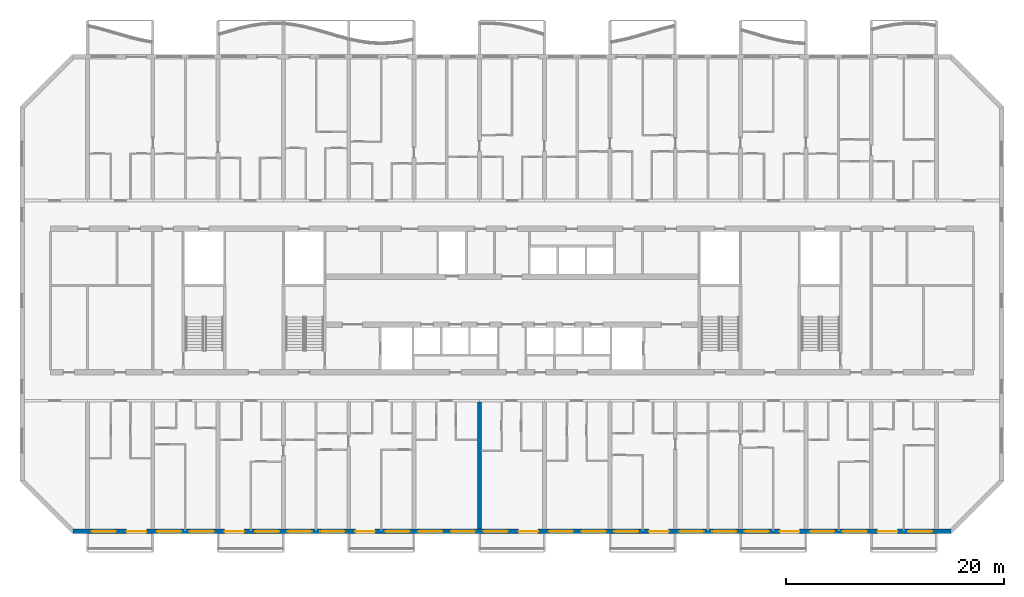
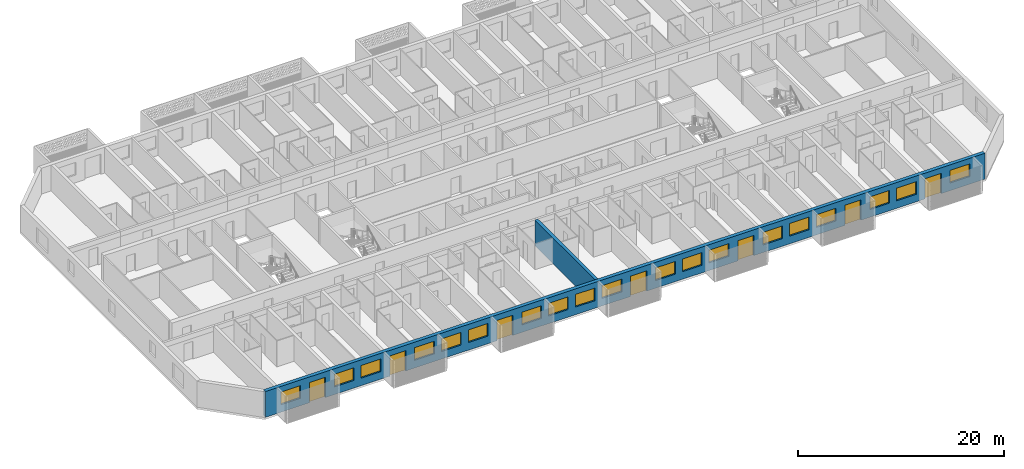
# One storey, part 4 of 31: 19 windows, 7 doors, 2 walls, 26 openings.
"""IFC4 building model written with IfcOpenShell, lengths in metres."""

from ifc_helpers import new_model, si_unit, direction, frame, frame_2d, origin, place, context, subcontext, project, spatial, rectangle, extrude, material, layer, layer_set, type_object, element, fill, save


model = new_model("IFC4")

# Units and contexts
model_context = context("Model", 3, precision=1e-05, world=origin(), true_north=direction((0.0, 1.0)))
body_context = subcontext(model_context, "Body", "Model", "MODEL_VIEW")
ifc_project = project(units=[si_unit("LENGTHUNIT", "METRE"), si_unit("AREAUNIT", "SQUARE_METRE"), si_unit("VOLUMEUNIT", "CUBIC_METRE"), si_unit("PLANEANGLEUNIT", "RADIAN"), si_unit("MASSUNIT", "GRAM", prefix="KILO")], contexts=[model_context])

# Site, building, storey
site_placement = place(None, origin())
site = spatial("IfcSite", under=ifc_project, at=site_placement, CompositionType="ELEMENT")
building_placement = place(site_placement, origin())
building = spatial("IfcBuilding", under=site, at=building_placement, Name="Poui Terraces", CompositionType="ELEMENT")
storey_placement = place(building_placement, frame((0.0, 0.0, 82.800048828125)))
storey = spatial("IfcBuildingStorey", under=building, at=storey_placement, Name="L22", CompositionType="ELEMENT", Elevation=82.800048828125)

# Wall
ifc_material_1 = material(Name="Concrete 65 MPa", Category="concrete")
ifc_layer_1 = layer(ifc_material_1, 0.35009765625)
ifc_layer_set_1 = layer_set([ifc_layer_1], Name="Concrete 65 MPa")
wall_type_1 = type_object("IfcWallType", Name="CROSS WALL 350 65MPa", PredefinedType="SHEAR", material=ifc_layer_set_1)
wall_1_placement = place(storey_placement, frame((48.0, 0.199951171875, 0.0), z_axis=(0.0, 0.0, 1.0), x_axis=(0.0, 1.0, 0.0)))
element("IfcWall", 1, at=wall_1_placement, inside=storey, type_object=wall_type_1, Name="CROSS WALL LINE 9 SOUTH", PredefinedType="SHEAR", context=body_context, shape_type="SweptSolid", body=[
    extrude(rectangle(XDim=11.675048828125, YDim=0.35009765625, at=frame_2d((5.83740234375, 0.0))), origin(), (0.0, 0.0, 1.0), 3.06005859375),
])

# Wall, openings, doors, windows
ifc_material_2 = material(Name="Precast concrete 40 MPa", Category="concrete")
ifc_layer_2 = layer(ifc_material_2, 0.39990234375)
ifc_layer_set_2 = layer_set([ifc_layer_2], Name="Precast concrete 40 MPa")
wall_type_2 = type_object("IfcWallType", Name="EXTERNAL WALL 400", PredefinedType="STANDARD", material=ifc_layer_set_2)
wall_2_placement = place(storey_placement, frame((10.682861328125, 0.0, 0.0), z_axis=(0.0, 0.0, 1.0), x_axis=(1.0, 0.0, 0.0)))
wall_2 = element("IfcWall", 2, at=wall_2_placement, inside=storey, type_object=wall_type_2, Name="EXTERNAL WALL S", PredefinedType="STANDARD", context=body_context, shape_type="SweptSolid", body=[
    extrude(rectangle(XDim=80.63427734375, YDim=0.39990234375, at=frame_2d((40.317138671875, 0.0))), origin(), (0.0, 0.0, 1.0), 3.06005859375),
])
opening_1_placement = place(wall_2_placement, frame((1.71728515625, 0.0, 0.89990234375)))
opening_1 = element("IfcOpeningElement", 3, at=opening_1_placement, cuts=wall_2, Name="Opening W1", PredefinedType="OPENING", context=body_context, shape_type="SweptSolid", body=[
    extrude(rectangle(XDim=2.199951171875, YDim=1.5, at=frame_2d((1.10009765625, 0.75))), frame((0.0, 0.2099609375, 0.0), z_axis=(0.0, -1.0, 0.0), x_axis=(1.0, 0.0, 0.0)), (0.0, 0.0, 1.0), 0.419921875),
])
opening_2_placement = place(wall_2_placement, frame((4.917236328125, 0.0, 0.0)))
opening_2 = element("IfcOpeningElement", 4, at=opening_2_placement, cuts=wall_2, Name="Opening BD1", PredefinedType="OPENING", context=body_context, shape_type="SweptSolid", body=[
    extrude(rectangle(XDim=1.800048828125, YDim=2.39990234375, at=frame_2d((0.89990234375, 1.199951171875))), frame((0.0, 0.2099609375, 0.0), z_axis=(0.0, -1.0, 0.0), x_axis=(1.0, 0.0, 0.0)), (0.0, 0.0, 1.0), 0.419921875),
])
opening_3_placement = place(wall_2_placement, frame((7.71728515625, 0.0, 0.89990234375)))
opening_3 = element("IfcOpeningElement", 5, at=opening_3_placement, cuts=wall_2, Name="Opening W1", PredefinedType="OPENING", context=body_context, shape_type="SweptSolid", body=[
    extrude(rectangle(XDim=2.199951171875, YDim=1.5, at=frame_2d((1.10009765625, 0.75))), frame((0.0, 0.2099609375, 0.0), z_axis=(0.0, -1.0, 0.0), x_axis=(1.0, 0.0, 0.0)), (0.0, 0.0, 1.0), 0.419921875),
])
opening_4_placement = place(wall_2_placement, frame((10.71728515625, 0.0, 0.89990234375)))
opening_4 = element("IfcOpeningElement", 6, at=opening_4_placement, cuts=wall_2, Name="Opening W1", PredefinedType="OPENING", context=body_context, shape_type="SweptSolid", body=[
    extrude(rectangle(XDim=2.199951171875, YDim=1.5, at=frame_2d((1.10009765625, 0.75))), frame((0.0, 0.2099609375, 0.0), z_axis=(0.0, -1.0, 0.0), x_axis=(1.0, 0.0, 0.0)), (0.0, 0.0, 1.0), 0.419921875),
])
opening_5_placement = place(wall_2_placement, frame((13.917236328125, 0.0, 0.0)))
opening_5 = element("IfcOpeningElement", 7, at=opening_5_placement, cuts=wall_2, Name="Opening BD1", PredefinedType="OPENING", context=body_context, shape_type="SweptSolid", body=[
    extrude(rectangle(XDim=1.800048828125, YDim=2.39990234375, at=frame_2d((0.89990234375, 1.199951171875))), frame((0.0, 0.2099609375, 0.0), z_axis=(0.0, -1.0, 0.0), x_axis=(1.0, 0.0, 0.0)), (0.0, 0.0, 1.0), 0.419921875),
])
opening_6_placement = place(wall_2_placement, frame((16.71728515625, 0.0, 0.89990234375)))
opening_6 = element("IfcOpeningElement", 8, at=opening_6_placement, cuts=wall_2, Name="Opening W1", PredefinedType="OPENING", context=body_context, shape_type="SweptSolid", body=[
    extrude(rectangle(XDim=2.199951171875, YDim=1.5, at=frame_2d((1.10009765625, 0.75))), frame((0.0, 0.2099609375, 0.0), z_axis=(0.0, -1.0, 0.0), x_axis=(1.0, 0.0, 0.0)), (0.0, 0.0, 1.0), 0.419921875),
])
opening_7_placement = place(wall_2_placement, frame((19.71728515625, 0.0, 0.89990234375)))
opening_7 = element("IfcOpeningElement", 9, at=opening_7_placement, cuts=wall_2, Name="Opening W1", PredefinedType="OPENING", context=body_context, shape_type="SweptSolid", body=[
    extrude(rectangle(XDim=2.199951171875, YDim=1.5, at=frame_2d((1.10009765625, 0.75))), frame((0.0, 0.2099609375, 0.0), z_axis=(0.0, -1.0, 0.0), x_axis=(1.0, 0.0, 0.0)), (0.0, 0.0, 1.0), 0.419921875),
])
opening_8_placement = place(wall_2_placement, frame((22.71728515625, 0.0, 0.89990234375)))
opening_8 = element("IfcOpeningElement", 10, at=opening_8_placement, cuts=wall_2, Name="Opening W1", PredefinedType="OPENING", context=body_context, shape_type="SweptSolid", body=[
    extrude(rectangle(XDim=2.199951171875, YDim=1.5, at=frame_2d((1.10009765625, 0.75))), frame((0.0, 0.2099609375, 0.0), z_axis=(0.0, -1.0, 0.0), x_axis=(1.0, 0.0, 0.0)), (0.0, 0.0, 1.0), 0.419921875),
])
opening_9_placement = place(wall_2_placement, frame((25.917236328125, 0.0, 0.0)))
opening_9 = element("IfcOpeningElement", 11, at=opening_9_placement, cuts=wall_2, Name="Opening BD1", PredefinedType="OPENING", context=body_context, shape_type="SweptSolid", body=[
    extrude(rectangle(XDim=1.800048828125, YDim=2.39990234375, at=frame_2d((0.89990234375, 1.199951171875))), frame((0.0, 0.2099609375, 0.0), z_axis=(0.0, -1.0, 0.0), x_axis=(1.0, 0.0, 0.0)), (0.0, 0.0, 1.0), 0.419921875),
])
opening_10_placement = place(wall_2_placement, frame((28.71728515625, 0.0, 0.89990234375)))
opening_10 = element("IfcOpeningElement", 12, at=opening_10_placement, cuts=wall_2, Name="Opening W1", PredefinedType="OPENING", context=body_context, shape_type="SweptSolid", body=[
    extrude(rectangle(XDim=2.199951171875, YDim=1.5, at=frame_2d((1.10009765625, 0.75))), frame((0.0, 0.2099609375, 0.0), z_axis=(0.0, -1.0, 0.0), x_axis=(1.0, 0.0, 0.0)), (0.0, 0.0, 1.0), 0.419921875),
])
opening_11_placement = place(wall_2_placement, frame((31.71728515625, 0.0, 0.89990234375)))
opening_11 = element("IfcOpeningElement", 13, at=opening_11_placement, cuts=wall_2, Name="Opening W1", PredefinedType="OPENING", context=body_context, shape_type="SweptSolid", body=[
    extrude(rectangle(XDim=2.199951171875, YDim=1.5, at=frame_2d((1.10009765625, 0.75))), frame((0.0, 0.2099609375, 0.0), z_axis=(0.0, -1.0, 0.0), x_axis=(1.0, 0.0, 0.0)), (0.0, 0.0, 1.0), 0.419921875),
])
opening_12_placement = place(wall_2_placement, frame((34.71728515625, 0.0, 0.89990234375)))
opening_12 = element("IfcOpeningElement", 14, at=opening_12_placement, cuts=wall_2, Name="Opening W1", PredefinedType="OPENING", context=body_context, shape_type="SweptSolid", body=[
    extrude(rectangle(XDim=2.199951171875, YDim=1.5, at=frame_2d((1.10009765625, 0.75))), frame((0.0, 0.2099609375, 0.0), z_axis=(0.0, -1.0, 0.0), x_axis=(1.0, 0.0, 0.0)), (0.0, 0.0, 1.0), 0.419921875),
])
opening_13_placement = place(wall_2_placement, frame((37.71728515625, 0.0, 0.89990234375)))
opening_13 = element("IfcOpeningElement", 15, at=opening_13_placement, cuts=wall_2, Name="Opening W1", PredefinedType="OPENING", context=body_context, shape_type="SweptSolid", body=[
    extrude(rectangle(XDim=2.199951171875, YDim=1.5, at=frame_2d((1.10009765625, 0.75))), frame((0.0, 0.2099609375, 0.0), z_axis=(0.0, -1.0, 0.0), x_axis=(1.0, 0.0, 0.0)), (0.0, 0.0, 1.0), 0.419921875),
])
opening_14_placement = place(wall_2_placement, frame((40.917236328125, 0.0, 0.0)))
opening_14 = element("IfcOpeningElement", 16, at=opening_14_placement, cuts=wall_2, Name="Opening BD1", PredefinedType="OPENING", context=body_context, shape_type="SweptSolid", body=[
    extrude(rectangle(XDim=1.800048828125, YDim=2.39990234375, at=frame_2d((0.89990234375, 1.199951171875))), frame((0.0, 0.2099609375, 0.0), z_axis=(0.0, -1.0, 0.0), x_axis=(1.0, 0.0, 0.0)), (0.0, 0.0, 1.0), 0.419921875),
])
opening_15_placement = place(wall_2_placement, frame((43.71728515625, 0.0, 0.89990234375)))
opening_15 = element("IfcOpeningElement", 17, at=opening_15_placement, cuts=wall_2, Name="Opening W1", PredefinedType="OPENING", context=body_context, shape_type="SweptSolid", body=[
    extrude(rectangle(XDim=2.199951171875, YDim=1.5, at=frame_2d((1.10009765625, 0.75))), frame((0.0, 0.2099609375, 0.0), z_axis=(0.0, -1.0, 0.0), x_axis=(1.0, 0.0, 0.0)), (0.0, 0.0, 1.0), 0.419921875),
])
opening_16_placement = place(wall_2_placement, frame((46.71728515625, 0.0, 0.89990234375)))
opening_16 = element("IfcOpeningElement", 18, at=opening_16_placement, cuts=wall_2, Name="Opening W1", PredefinedType="OPENING", context=body_context, shape_type="SweptSolid", body=[
    extrude(rectangle(XDim=2.199951171875, YDim=1.5, at=frame_2d((1.10009765625, 0.75))), frame((0.0, 0.2099609375, 0.0), z_axis=(0.0, -1.0, 0.0), x_axis=(1.0, 0.0, 0.0)), (0.0, 0.0, 1.0), 0.419921875),
])
opening_17_placement = place(wall_2_placement, frame((49.71728515625, 0.0, 0.89990234375)))
opening_17 = element("IfcOpeningElement", 19, at=opening_17_placement, cuts=wall_2, Name="Opening W1", PredefinedType="OPENING", context=body_context, shape_type="SweptSolid", body=[
    extrude(rectangle(XDim=2.199951171875, YDim=1.5, at=frame_2d((1.10009765625, 0.75))), frame((0.0, 0.2099609375, 0.0), z_axis=(0.0, -1.0, 0.0), x_axis=(1.0, 0.0, 0.0)), (0.0, 0.0, 1.0), 0.419921875),
])
opening_18_placement = place(wall_2_placement, frame((52.917236328125, 0.0, 0.0)))
opening_18 = element("IfcOpeningElement", 20, at=opening_18_placement, cuts=wall_2, Name="Opening BD1", PredefinedType="OPENING", context=body_context, shape_type="SweptSolid", body=[
    extrude(rectangle(XDim=1.800048828125, YDim=2.39990234375, at=frame_2d((0.89990234375, 1.199951171875))), frame((0.0, 0.2099609375, 0.0), z_axis=(0.0, -1.0, 0.0), x_axis=(1.0, 0.0, 0.0)), (0.0, 0.0, 1.0), 0.419921875),
])
opening_19_placement = place(wall_2_placement, frame((55.71728515625, 0.0, 0.89990234375)))
opening_19 = element("IfcOpeningElement", 21, at=opening_19_placement, cuts=wall_2, Name="Opening W1", PredefinedType="OPENING", context=body_context, shape_type="SweptSolid", body=[
    extrude(rectangle(XDim=2.199951171875, YDim=1.5, at=frame_2d((1.10009765625, 0.75))), frame((0.0, 0.2099609375, 0.0), z_axis=(0.0, -1.0, 0.0), x_axis=(1.0, 0.0, 0.0)), (0.0, 0.0, 1.0), 0.419921875),
])
opening_20_placement = place(wall_2_placement, frame((58.71728515625, 0.0, 0.89990234375)))
opening_20 = element("IfcOpeningElement", 22, at=opening_20_placement, cuts=wall_2, Name="Opening W1", PredefinedType="OPENING", context=body_context, shape_type="SweptSolid", body=[
    extrude(rectangle(XDim=2.199951171875, YDim=1.5, at=frame_2d((1.10009765625, 0.75))), frame((0.0, 0.2099609375, 0.0), z_axis=(0.0, -1.0, 0.0), x_axis=(1.0, 0.0, 0.0)), (0.0, 0.0, 1.0), 0.419921875),
])
opening_21_placement = place(wall_2_placement, frame((61.71728515625, 0.0, 0.89990234375)))
opening_21 = element("IfcOpeningElement", 23, at=opening_21_placement, cuts=wall_2, Name="Opening W1", PredefinedType="OPENING", context=body_context, shape_type="SweptSolid", body=[
    extrude(rectangle(XDim=2.199951171875, YDim=1.5, at=frame_2d((1.10009765625, 0.75))), frame((0.0, 0.2099609375, 0.0), z_axis=(0.0, -1.0, 0.0), x_axis=(1.0, 0.0, 0.0)), (0.0, 0.0, 1.0), 0.419921875),
])
opening_22_placement = place(wall_2_placement, frame((64.917236328125, 0.0, 0.0)))
opening_22 = element("IfcOpeningElement", 24, at=opening_22_placement, cuts=wall_2, Name="Opening BD1", PredefinedType="OPENING", context=body_context, shape_type="SweptSolid", body=[
    extrude(rectangle(XDim=1.800048828125, YDim=2.39990234375, at=frame_2d((0.89990234375, 1.199951171875))), frame((0.0, 0.2099609375, 0.0), z_axis=(0.0, -1.0, 0.0), x_axis=(1.0, 0.0, 0.0)), (0.0, 0.0, 1.0), 0.419921875),
])
opening_23_placement = place(wall_2_placement, frame((67.71728515625, 0.0, 0.89990234375)))
opening_23 = element("IfcOpeningElement", 25, at=opening_23_placement, cuts=wall_2, Name="Opening W1", PredefinedType="OPENING", context=body_context, shape_type="SweptSolid", body=[
    extrude(rectangle(XDim=2.199951171875, YDim=1.5, at=frame_2d((1.10009765625, 0.75))), frame((0.0, 0.2099609375, 0.0), z_axis=(0.0, -1.0, 0.0), x_axis=(1.0, 0.0, 0.0)), (0.0, 0.0, 1.0), 0.419921875),
])
opening_24_placement = place(wall_2_placement, frame((70.71728515625, 0.0, 0.89990234375)))
opening_24 = element("IfcOpeningElement", 26, at=opening_24_placement, cuts=wall_2, Name="Opening W1", PredefinedType="OPENING", context=body_context, shape_type="SweptSolid", body=[
    extrude(rectangle(XDim=2.199951171875, YDim=1.5, at=frame_2d((1.10009765625, 0.75))), frame((0.0, 0.2099609375, 0.0), z_axis=(0.0, -1.0, 0.0), x_axis=(1.0, 0.0, 0.0)), (0.0, 0.0, 1.0), 0.419921875),
])
opening_25_placement = place(wall_2_placement, frame((73.917236328125, 0.0, 0.0)))
opening_25 = element("IfcOpeningElement", 27, at=opening_25_placement, cuts=wall_2, Name="Opening BD1", PredefinedType="OPENING", context=body_context, shape_type="SweptSolid", body=[
    extrude(rectangle(XDim=1.800048828125, YDim=2.39990234375, at=frame_2d((0.89990234375, 1.199951171875))), frame((0.0, 0.2099609375, 0.0), z_axis=(0.0, -1.0, 0.0), x_axis=(1.0, 0.0, 0.0)), (0.0, 0.0, 1.0), 0.419921875),
])
opening_26_placement = place(wall_2_placement, frame((76.71728515625, 0.0, 0.89990234375)))
opening_26 = element("IfcOpeningElement", 28, at=opening_26_placement, cuts=wall_2, Name="Opening W1", PredefinedType="OPENING", context=body_context, shape_type="SweptSolid", body=[
    extrude(rectangle(XDim=2.199951171875, YDim=1.5, at=frame_2d((1.10009765625, 0.75))), frame((0.0, 0.2099609375, 0.0), z_axis=(0.0, -1.0, 0.0), x_axis=(1.0, 0.0, 0.0)), (0.0, 0.0, 1.0), 0.419921875),
])
ifc_material_3 = material(Name="Clear glass in aluminium frame", Category="aluminium")
door_type = type_object("IfcDoorType", Name="BALCONY DOOR 1800X2400", OperationType="DOUBLE_DOOR_SLIDING", PredefinedType="DOOR", material=ifc_material_3)
door_1_placement = place(opening_2_placement, origin())
door_1 = element("IfcDoor", 29, at=door_1_placement, inside=storey, type_object=door_type, Name="BD1 BALCONY DOOR", OperationType="DOUBLE_DOOR_SLIDING", OverallHeight=2.39990234375, OverallWidth=1.800048828125, PredefinedType="DOOR", context=body_context, shape_type="SweptSolid", body=[
    extrude(rectangle(XDim=1.800048828125, YDim=2.39990234375, at=frame_2d((0.89990234375, 1.199951171875))), frame((0.0, 0.02490234375, 0.0), z_axis=(0.0, -1.0, 0.0), x_axis=(1.0, 0.0, 0.0)), (0.0, 0.0, 1.0), 0.050048828125),
])
fill(opening_2, door_1)
door_2_placement = place(opening_5_placement, origin())
door_2 = element("IfcDoor", 30, at=door_2_placement, inside=storey, type_object=door_type, Name="BD1 BALCONY DOOR", OperationType="DOUBLE_DOOR_SLIDING", OverallHeight=2.39990234375, OverallWidth=1.800048828125, PredefinedType="DOOR", context=body_context, shape_type="SweptSolid", body=[
    extrude(rectangle(XDim=1.800048828125, YDim=2.39990234375, at=frame_2d((0.89990234375, 1.199951171875))), frame((0.0, 0.02490234375, 0.0), z_axis=(0.0, -1.0, 0.0), x_axis=(1.0, 0.0, 0.0)), (0.0, 0.0, 1.0), 0.050048828125),
])
fill(opening_5, door_2)
door_3_placement = place(opening_9_placement, origin())
door_3 = element("IfcDoor", 31, at=door_3_placement, inside=storey, type_object=door_type, Name="BD1 BALCONY DOOR", OperationType="DOUBLE_DOOR_SLIDING", OverallHeight=2.39990234375, OverallWidth=1.800048828125, PredefinedType="DOOR", context=body_context, shape_type="SweptSolid", body=[
    extrude(rectangle(XDim=1.800048828125, YDim=2.39990234375, at=frame_2d((0.89990234375, 1.199951171875))), frame((0.0, 0.02490234375, 0.0), z_axis=(0.0, -1.0, 0.0), x_axis=(1.0, 0.0, 0.0)), (0.0, 0.0, 1.0), 0.050048828125),
])
fill(opening_9, door_3)
door_4_placement = place(opening_14_placement, origin())
door_4 = element("IfcDoor", 32, at=door_4_placement, inside=storey, type_object=door_type, Name="BD1 BALCONY DOOR", OperationType="DOUBLE_DOOR_SLIDING", OverallHeight=2.39990234375, OverallWidth=1.800048828125, PredefinedType="DOOR", context=body_context, shape_type="SweptSolid", body=[
    extrude(rectangle(XDim=1.800048828125, YDim=2.39990234375, at=frame_2d((0.89990234375, 1.199951171875))), frame((0.0, 0.02490234375, 0.0), z_axis=(0.0, -1.0, 0.0), x_axis=(1.0, 0.0, 0.0)), (0.0, 0.0, 1.0), 0.050048828125),
])
fill(opening_14, door_4)
door_5_placement = place(opening_18_placement, origin())
door_5 = element("IfcDoor", 33, at=door_5_placement, inside=storey, type_object=door_type, Name="BD1 BALCONY DOOR", OperationType="DOUBLE_DOOR_SLIDING", OverallHeight=2.39990234375, OverallWidth=1.800048828125, PredefinedType="DOOR", context=body_context, shape_type="SweptSolid", body=[
    extrude(rectangle(XDim=1.800048828125, YDim=2.39990234375, at=frame_2d((0.89990234375, 1.199951171875))), frame((0.0, 0.02490234375, 0.0), z_axis=(0.0, -1.0, 0.0), x_axis=(1.0, 0.0, 0.0)), (0.0, 0.0, 1.0), 0.050048828125),
])
fill(opening_18, door_5)
door_6_placement = place(opening_22_placement, origin())
door_6 = element("IfcDoor", 34, at=door_6_placement, inside=storey, type_object=door_type, Name="BD1 BALCONY DOOR", OperationType="DOUBLE_DOOR_SLIDING", OverallHeight=2.39990234375, OverallWidth=1.800048828125, PredefinedType="DOOR", context=body_context, shape_type="SweptSolid", body=[
    extrude(rectangle(XDim=1.800048828125, YDim=2.39990234375, at=frame_2d((0.89990234375, 1.199951171875))), frame((0.0, 0.02490234375, 0.0), z_axis=(0.0, -1.0, 0.0), x_axis=(1.0, 0.0, 0.0)), (0.0, 0.0, 1.0), 0.050048828125),
])
fill(opening_22, door_6)
door_7_placement = place(opening_25_placement, origin())
door_7 = element("IfcDoor", 35, at=door_7_placement, inside=storey, type_object=door_type, Name="BD1 BALCONY DOOR", OperationType="DOUBLE_DOOR_SLIDING", OverallHeight=2.39990234375, OverallWidth=1.800048828125, PredefinedType="DOOR", context=body_context, shape_type="SweptSolid", body=[
    extrude(rectangle(XDim=1.800048828125, YDim=2.39990234375, at=frame_2d((0.89990234375, 1.199951171875))), frame((0.0, 0.02490234375, 0.0), z_axis=(0.0, -1.0, 0.0), x_axis=(1.0, 0.0, 0.0)), (0.0, 0.0, 1.0), 0.050048828125),
])
fill(opening_25, door_7)
window_type = type_object("IfcWindowType", Name="WINDOW 2200X1500", PartitioningType="DOUBLE_PANEL_HORIZONTAL", PredefinedType="WINDOW", material=ifc_material_3)
window_1_placement = place(opening_1_placement, origin())
window_1 = element("IfcWindow", 36, at=window_1_placement, inside=storey, type_object=window_type, Name="W1 WINDOW", OverallHeight=1.5, OverallWidth=2.199951171875, PartitioningType="DOUBLE_PANEL_HORIZONTAL", PredefinedType="WINDOW", context=body_context, shape_type="SweptSolid", body=[
    extrude(rectangle(XDim=2.199951171875, YDim=1.5, at=frame_2d((1.10009765625, 0.75))), frame((0.0, 0.030029296875, 0.0), z_axis=(0.0, -1.0, 0.0), x_axis=(1.0, 0.0, 0.0)), (0.0, 0.0, 1.0), 0.06005859375),
])
fill(opening_1, window_1)
window_2_placement = place(opening_3_placement, origin())
window_2 = element("IfcWindow", 37, at=window_2_placement, inside=storey, type_object=window_type, Name="W1 WINDOW", OverallHeight=1.5, OverallWidth=2.199951171875, PartitioningType="DOUBLE_PANEL_HORIZONTAL", PredefinedType="WINDOW", context=body_context, shape_type="SweptSolid", body=[
    extrude(rectangle(XDim=2.199951171875, YDim=1.5, at=frame_2d((1.10009765625, 0.75))), frame((0.0, 0.030029296875, 0.0), z_axis=(0.0, -1.0, 0.0), x_axis=(1.0, 0.0, 0.0)), (0.0, 0.0, 1.0), 0.06005859375),
])
fill(opening_3, window_2)
window_3_placement = place(opening_4_placement, origin())
window_3 = element("IfcWindow", 38, at=window_3_placement, inside=storey, type_object=window_type, Name="W1 WINDOW", OverallHeight=1.5, OverallWidth=2.199951171875, PartitioningType="DOUBLE_PANEL_HORIZONTAL", PredefinedType="WINDOW", context=body_context, shape_type="SweptSolid", body=[
    extrude(rectangle(XDim=2.199951171875, YDim=1.5, at=frame_2d((1.10009765625, 0.75))), frame((0.0, 0.030029296875, 0.0), z_axis=(0.0, -1.0, 0.0), x_axis=(1.0, 0.0, 0.0)), (0.0, 0.0, 1.0), 0.06005859375),
])
fill(opening_4, window_3)
window_4_placement = place(opening_6_placement, origin())
window_4 = element("IfcWindow", 39, at=window_4_placement, inside=storey, type_object=window_type, Name="W1 WINDOW", OverallHeight=1.5, OverallWidth=2.199951171875, PartitioningType="DOUBLE_PANEL_HORIZONTAL", PredefinedType="WINDOW", context=body_context, shape_type="SweptSolid", body=[
    extrude(rectangle(XDim=2.199951171875, YDim=1.5, at=frame_2d((1.10009765625, 0.75))), frame((0.0, 0.030029296875, 0.0), z_axis=(0.0, -1.0, 0.0), x_axis=(1.0, 0.0, 0.0)), (0.0, 0.0, 1.0), 0.06005859375),
])
fill(opening_6, window_4)
window_5_placement = place(opening_7_placement, origin())
window_5 = element("IfcWindow", 40, at=window_5_placement, inside=storey, type_object=window_type, Name="W1 WINDOW", OverallHeight=1.5, OverallWidth=2.199951171875, PartitioningType="DOUBLE_PANEL_HORIZONTAL", PredefinedType="WINDOW", context=body_context, shape_type="SweptSolid", body=[
    extrude(rectangle(XDim=2.199951171875, YDim=1.5, at=frame_2d((1.10009765625, 0.75))), frame((0.0, 0.030029296875, 0.0), z_axis=(0.0, -1.0, 0.0), x_axis=(1.0, 0.0, 0.0)), (0.0, 0.0, 1.0), 0.06005859375),
])
fill(opening_7, window_5)
window_6_placement = place(opening_8_placement, origin())
window_6 = element("IfcWindow", 41, at=window_6_placement, inside=storey, type_object=window_type, Name="W1 WINDOW", OverallHeight=1.5, OverallWidth=2.199951171875, PartitioningType="DOUBLE_PANEL_HORIZONTAL", PredefinedType="WINDOW", context=body_context, shape_type="SweptSolid", body=[
    extrude(rectangle(XDim=2.199951171875, YDim=1.5, at=frame_2d((1.10009765625, 0.75))), frame((0.0, 0.030029296875, 0.0), z_axis=(0.0, -1.0, 0.0), x_axis=(1.0, 0.0, 0.0)), (0.0, 0.0, 1.0), 0.06005859375),
])
fill(opening_8, window_6)
window_7_placement = place(opening_10_placement, origin())
window_7 = element("IfcWindow", 42, at=window_7_placement, inside=storey, type_object=window_type, Name="W1 WINDOW", OverallHeight=1.5, OverallWidth=2.199951171875, PartitioningType="DOUBLE_PANEL_HORIZONTAL", PredefinedType="WINDOW", context=body_context, shape_type="SweptSolid", body=[
    extrude(rectangle(XDim=2.199951171875, YDim=1.5, at=frame_2d((1.10009765625, 0.75))), frame((0.0, 0.030029296875, 0.0), z_axis=(0.0, -1.0, 0.0), x_axis=(1.0, 0.0, 0.0)), (0.0, 0.0, 1.0), 0.06005859375),
])
fill(opening_10, window_7)
window_8_placement = place(opening_11_placement, origin())
window_8 = element("IfcWindow", 43, at=window_8_placement, inside=storey, type_object=window_type, Name="W1 WINDOW", OverallHeight=1.5, OverallWidth=2.199951171875, PartitioningType="DOUBLE_PANEL_HORIZONTAL", PredefinedType="WINDOW", context=body_context, shape_type="SweptSolid", body=[
    extrude(rectangle(XDim=2.199951171875, YDim=1.5, at=frame_2d((1.10009765625, 0.75))), frame((0.0, 0.030029296875, 0.0), z_axis=(0.0, -1.0, 0.0), x_axis=(1.0, 0.0, 0.0)), (0.0, 0.0, 1.0), 0.06005859375),
])
fill(opening_11, window_8)
window_9_placement = place(opening_12_placement, origin())
window_9 = element("IfcWindow", 44, at=window_9_placement, inside=storey, type_object=window_type, Name="W1 WINDOW", OverallHeight=1.5, OverallWidth=2.199951171875, PartitioningType="DOUBLE_PANEL_HORIZONTAL", PredefinedType="WINDOW", context=body_context, shape_type="SweptSolid", body=[
    extrude(rectangle(XDim=2.199951171875, YDim=1.5, at=frame_2d((1.10009765625, 0.75))), frame((0.0, 0.030029296875, 0.0), z_axis=(0.0, -1.0, 0.0), x_axis=(1.0, 0.0, 0.0)), (0.0, 0.0, 1.0), 0.06005859375),
])
fill(opening_12, window_9)
window_10_placement = place(opening_13_placement, origin())
window_10 = element("IfcWindow", 45, at=window_10_placement, inside=storey, type_object=window_type, Name="W1 WINDOW", OverallHeight=1.5, OverallWidth=2.199951171875, PartitioningType="DOUBLE_PANEL_HORIZONTAL", PredefinedType="WINDOW", context=body_context, shape_type="SweptSolid", body=[
    extrude(rectangle(XDim=2.199951171875, YDim=1.5, at=frame_2d((1.10009765625, 0.75))), frame((0.0, 0.030029296875, 0.0), z_axis=(0.0, -1.0, 0.0), x_axis=(1.0, 0.0, 0.0)), (0.0, 0.0, 1.0), 0.06005859375),
])
fill(opening_13, window_10)
window_11_placement = place(opening_15_placement, origin())
window_11 = element("IfcWindow", 46, at=window_11_placement, inside=storey, type_object=window_type, Name="W1 WINDOW", OverallHeight=1.5, OverallWidth=2.199951171875, PartitioningType="DOUBLE_PANEL_HORIZONTAL", PredefinedType="WINDOW", context=body_context, shape_type="SweptSolid", body=[
    extrude(rectangle(XDim=2.199951171875, YDim=1.5, at=frame_2d((1.10009765625, 0.75))), frame((0.0, 0.030029296875, 0.0), z_axis=(0.0, -1.0, 0.0), x_axis=(1.0, 0.0, 0.0)), (0.0, 0.0, 1.0), 0.06005859375),
])
fill(opening_15, window_11)
window_12_placement = place(opening_16_placement, origin())
window_12 = element("IfcWindow", 47, at=window_12_placement, inside=storey, type_object=window_type, Name="W1 WINDOW", OverallHeight=1.5, OverallWidth=2.199951171875, PartitioningType="DOUBLE_PANEL_HORIZONTAL", PredefinedType="WINDOW", context=body_context, shape_type="SweptSolid", body=[
    extrude(rectangle(XDim=2.199951171875, YDim=1.5, at=frame_2d((1.10009765625, 0.75))), frame((0.0, 0.030029296875, 0.0), z_axis=(0.0, -1.0, 0.0), x_axis=(1.0, 0.0, 0.0)), (0.0, 0.0, 1.0), 0.06005859375),
])
fill(opening_16, window_12)
window_13_placement = place(opening_17_placement, origin())
window_13 = element("IfcWindow", 48, at=window_13_placement, inside=storey, type_object=window_type, Name="W1 WINDOW", OverallHeight=1.5, OverallWidth=2.199951171875, PartitioningType="DOUBLE_PANEL_HORIZONTAL", PredefinedType="WINDOW", context=body_context, shape_type="SweptSolid", body=[
    extrude(rectangle(XDim=2.199951171875, YDim=1.5, at=frame_2d((1.10009765625, 0.75))), frame((0.0, 0.030029296875, 0.0), z_axis=(0.0, -1.0, 0.0), x_axis=(1.0, 0.0, 0.0)), (0.0, 0.0, 1.0), 0.06005859375),
])
fill(opening_17, window_13)
window_14_placement = place(opening_19_placement, origin())
window_14 = element("IfcWindow", 49, at=window_14_placement, inside=storey, type_object=window_type, Name="W1 WINDOW", OverallHeight=1.5, OverallWidth=2.199951171875, PartitioningType="DOUBLE_PANEL_HORIZONTAL", PredefinedType="WINDOW", context=body_context, shape_type="SweptSolid", body=[
    extrude(rectangle(XDim=2.199951171875, YDim=1.5, at=frame_2d((1.10009765625, 0.75))), frame((0.0, 0.030029296875, 0.0), z_axis=(0.0, -1.0, 0.0), x_axis=(1.0, 0.0, 0.0)), (0.0, 0.0, 1.0), 0.06005859375),
])
fill(opening_19, window_14)
window_15_placement = place(opening_20_placement, origin())
window_15 = element("IfcWindow", 50, at=window_15_placement, inside=storey, type_object=window_type, Name="W1 WINDOW", OverallHeight=1.5, OverallWidth=2.199951171875, PartitioningType="DOUBLE_PANEL_HORIZONTAL", PredefinedType="WINDOW", context=body_context, shape_type="SweptSolid", body=[
    extrude(rectangle(XDim=2.199951171875, YDim=1.5, at=frame_2d((1.10009765625, 0.75))), frame((0.0, 0.030029296875, 0.0), z_axis=(0.0, -1.0, 0.0), x_axis=(1.0, 0.0, 0.0)), (0.0, 0.0, 1.0), 0.06005859375),
])
fill(opening_20, window_15)
window_16_placement = place(opening_21_placement, origin())
window_16 = element("IfcWindow", 51, at=window_16_placement, inside=storey, type_object=window_type, Name="W1 WINDOW", OverallHeight=1.5, OverallWidth=2.199951171875, PartitioningType="DOUBLE_PANEL_HORIZONTAL", PredefinedType="WINDOW", context=body_context, shape_type="SweptSolid", body=[
    extrude(rectangle(XDim=2.199951171875, YDim=1.5, at=frame_2d((1.10009765625, 0.75))), frame((0.0, 0.030029296875, 0.0), z_axis=(0.0, -1.0, 0.0), x_axis=(1.0, 0.0, 0.0)), (0.0, 0.0, 1.0), 0.06005859375),
])
fill(opening_21, window_16)
window_17_placement = place(opening_23_placement, origin())
window_17 = element("IfcWindow", 52, at=window_17_placement, inside=storey, type_object=window_type, Name="W1 WINDOW", OverallHeight=1.5, OverallWidth=2.199951171875, PartitioningType="DOUBLE_PANEL_HORIZONTAL", PredefinedType="WINDOW", context=body_context, shape_type="SweptSolid", body=[
    extrude(rectangle(XDim=2.199951171875, YDim=1.5, at=frame_2d((1.10009765625, 0.75))), frame((0.0, 0.030029296875, 0.0), z_axis=(0.0, -1.0, 0.0), x_axis=(1.0, 0.0, 0.0)), (0.0, 0.0, 1.0), 0.06005859375),
])
fill(opening_23, window_17)
window_18_placement = place(opening_24_placement, origin())
window_18 = element("IfcWindow", 53, at=window_18_placement, inside=storey, type_object=window_type, Name="W1 WINDOW", OverallHeight=1.5, OverallWidth=2.199951171875, PartitioningType="DOUBLE_PANEL_HORIZONTAL", PredefinedType="WINDOW", context=body_context, shape_type="SweptSolid", body=[
    extrude(rectangle(XDim=2.199951171875, YDim=1.5, at=frame_2d((1.10009765625, 0.75))), frame((0.0, 0.030029296875, 0.0), z_axis=(0.0, -1.0, 0.0), x_axis=(1.0, 0.0, 0.0)), (0.0, 0.0, 1.0), 0.06005859375),
])
fill(opening_24, window_18)
window_19_placement = place(opening_26_placement, origin())
window_19 = element("IfcWindow", 54, at=window_19_placement, inside=storey, type_object=window_type, Name="W1 WINDOW", OverallHeight=1.5, OverallWidth=2.199951171875, PartitioningType="DOUBLE_PANEL_HORIZONTAL", PredefinedType="WINDOW", context=body_context, shape_type="SweptSolid", body=[
    extrude(rectangle(XDim=2.199951171875, YDim=1.5, at=frame_2d((1.10009765625, 0.75))), frame((0.0, 0.030029296875, 0.0), z_axis=(0.0, -1.0, 0.0), x_axis=(1.0, 0.0, 0.0)), (0.0, 0.0, 1.0), 0.06005859375),
])
fill(opening_26, window_19)

save(model, "model.ifc")
